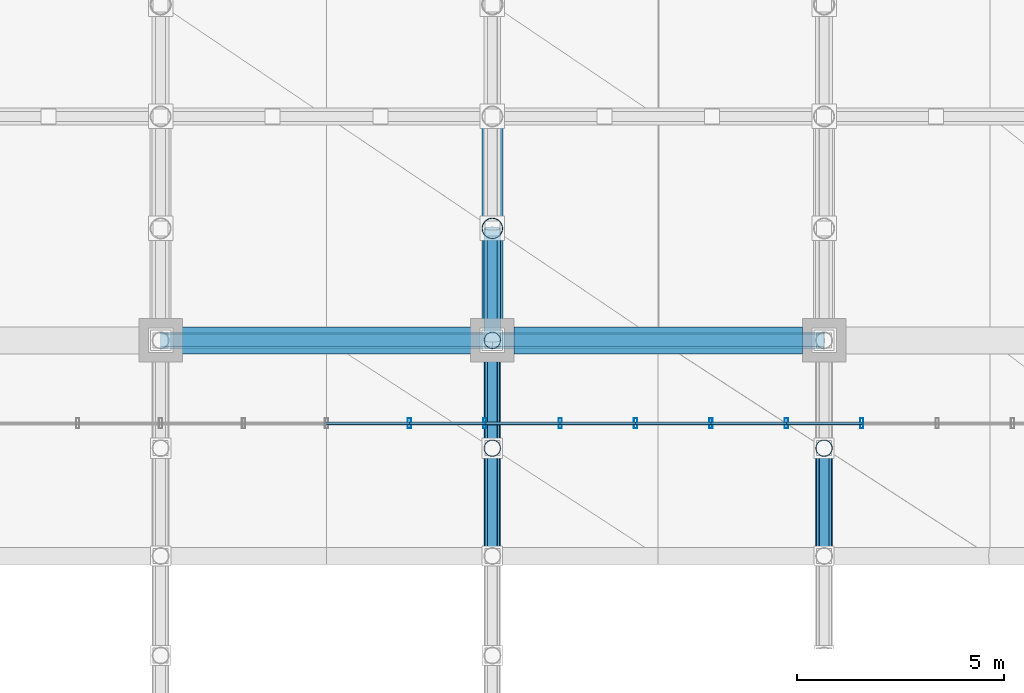
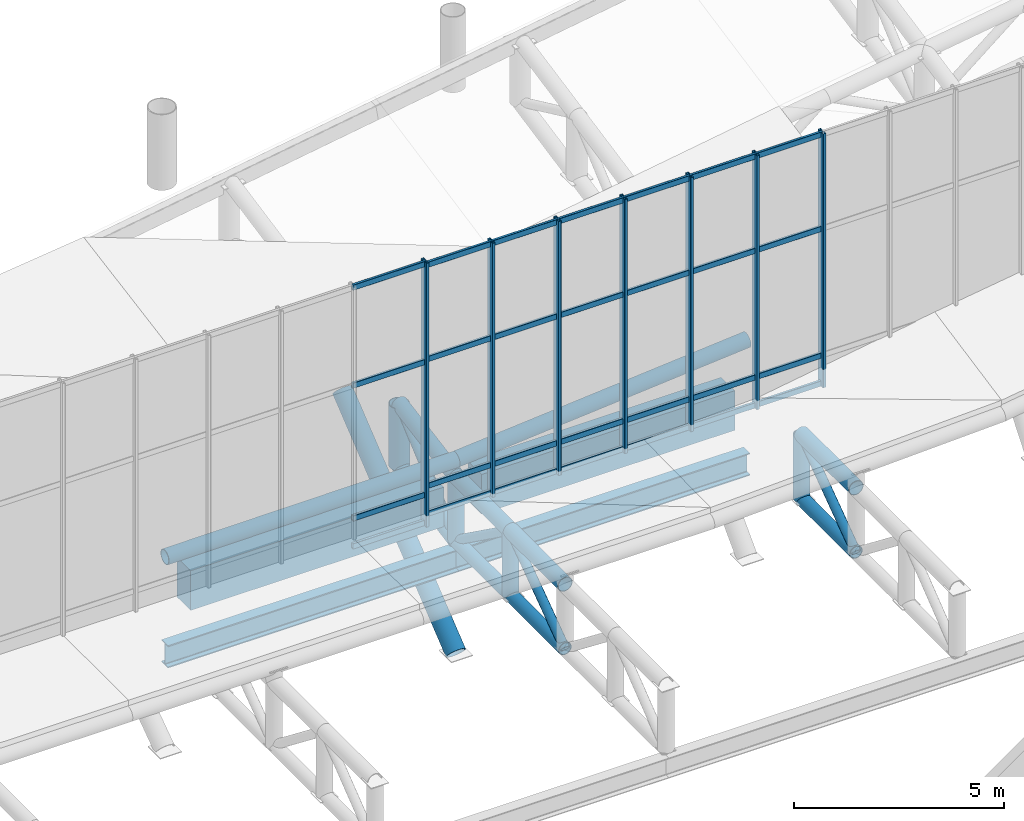
# One storey, part 55 of 137: 54 members, 4 beams, 2 elements without a shape of their own.
"""IFC4 building model written with IfcOpenShell, lengths in metres."""

import ifcopenshell
import ifcopenshell.guid

model = None  # the IFC model being written
_history = None  # IfcOwnerHistory: only IFC2X3 demands one
_inside = {}  # id of a spatial element -> (the spatial element, [elements in it])
_under = {}  # id of a project, library or spatial element -> (it, [spatial elements below it])
_declared = {}  # id of a project -> (the project, [libraries it declares])
_typed = {}  # id of a type object -> (the type object, [elements of that type])
_made_of = {}  # id of a material, layer set ... -> (it, [elements and type objects made of it])


def new_model(schema):
    """Start an empty IFC model of exactly this schema.

    Asked for "IFC4X3", IfcOpenShell would pick the latest addendum, in which some entities
    have other attributes; the version numbers below select the first issue.
    IFC2X3 requires an IfcOwnerHistory on every rooted entity: one is made here for all.
    """
    global model, _history
    if schema == "IFC4X3":
        model = ifcopenshell.file(schema_version=(4, 3, 0, 0))
    else:
        model = ifcopenshell.file(schema=schema)
    _inside.clear()
    _under.clear()
    _declared.clear()
    _typed.clear()
    _made_of.clear()
    _history = None
    if model.schema == "IFC2X3":
        org = make("IfcOrganization", Name="unknown")
        user = make(
            "IfcPersonAndOrganization",
            ThePerson=make("IfcPerson", FamilyName="unknown"),
            TheOrganization=org,
        )
        app = make(
            "IfcApplication",
            ApplicationDeveloper=org,
            Version="unknown",
            ApplicationFullName="unknown",
            ApplicationIdentifier="unknown",
        )
        _history = make(
            "IfcOwnerHistory",
            OwningUser=user,
            OwningApplication=app,
            ChangeAction="ADDED",
            CreationDate=0,
        )
    return model


def make(cls, **values):
    """One entity of the class cls with the attributes given. An attribute that is None is left unset."""
    return model.create_entity(
        cls, **{name: value for name, value in values.items() if value is not None}
    )


def rooted(cls, **values):
    """An entity with a GlobalId (a new one), such as an element, a storey or a relation."""
    return make(cls, GlobalId=ifcopenshell.guid.new(), OwnerHistory=_history, **values)


def si_unit(unit_type, name, prefix=None):
    """IfcSIUnit, for example si_unit("LENGTHUNIT", "METRE", prefix="MILLI")."""
    return make("IfcSIUnit", UnitType=unit_type, Prefix=prefix, Name=name)


def assignment(units):
    """IfcUnitAssignment: the units of a project."""
    return None if units is None else make("IfcUnitAssignment", Units=units)


def point(xyz):
    """IfcCartesianPoint."""
    return None if xyz is None else make("IfcCartesianPoint", Coordinates=xyz)


def direction(xyz):
    """IfcDirection."""
    return None if xyz is None else make("IfcDirection", DirectionRatios=xyz)


def frame(location, z_axis=None, x_axis=None):
    """IfcAxis2Placement3D, a coordinate frame: its origin and axes. An axis left out is left unset."""
    return make(
        "IfcAxis2Placement3D",
        Location=point(location),
        Axis=direction(z_axis),
        RefDirection=direction(x_axis),
    )


def frame_2d(location, x_axis=None):
    """IfcAxis2Placement2D, a coordinate frame in the plane: its origin and x axis."""
    return make(
        "IfcAxis2Placement2D", Location=point(location), RefDirection=direction(x_axis)
    )


def origin():
    """The frame at (0, 0, 0) with its axes left unset."""
    return frame((0.0, 0.0, 0.0))


def origin_2d():
    """The frame at (0, 0) in the plane with its x axis left unset."""
    return frame_2d((0.0, 0.0))


def place(relative_to, where):
    """IfcLocalPlacement: puts the frame where relative to a parent placement (None: the world)."""
    return make(
        "IfcLocalPlacement", PlacementRelTo=relative_to, RelativePlacement=where
    )


def context(
    kind, dimensions, precision=None, world=None, true_north=None, identifier=None
):
    """IfcGeometricRepresentationContext, for example the 3D "Model" context."""
    return make(
        "IfcGeometricRepresentationContext",
        ContextIdentifier=identifier,
        ContextType=kind,
        CoordinateSpaceDimension=dimensions,
        Precision=precision,
        WorldCoordinateSystem=world,
        TrueNorth=true_north,
    )


def subcontext(parent, identifier, kind, view, scale=None):
    """IfcGeometricRepresentationSubContext, for example "Body" below "Model"."""
    return make(
        "IfcGeometricRepresentationSubContext",
        ContextIdentifier=identifier,
        ContextType=kind,
        ParentContext=parent,
        TargetScale=scale,
        TargetView=view,
    )


def project(units=None, contexts=None):
    """IfcProject with its units and contexts."""
    return rooted(
        "IfcProject",
        Name="project",
        RepresentationContexts=contexts,
        UnitsInContext=assignment(units),
    )


def spatial(cls, under=None, at=None, **own):
    """A site, building, storey or space (cls), placed at a placement, below another one or the project."""
    s = rooted(cls, ObjectPlacement=at, **own)
    if under is not None:
        _under.setdefault(under.id(), (under, []))[1].append(s)
    return s


def profile(cls, at=None, kind="AREA", **sizes):
    """A parametric profile (cls). Its sizes go by their IFC names, for example OverallWidth=200.0."""
    return make(cls, ProfileType=kind, Position=at, **sizes)


def rectangle(**sizes):
    """IfcRectangleProfileDef."""
    return profile("IfcRectangleProfileDef", **sizes)


def hollow_rectangle(**sizes):
    """IfcRectangleHollowProfileDef."""
    return profile("IfcRectangleHollowProfileDef", **sizes)


def hollow_circle(**sizes):
    """IfcCircleHollowProfileDef."""
    return profile("IfcCircleHollowProfileDef", **sizes)


def i_section(**sizes):
    """IfcIShapeProfileDef."""
    return profile("IfcIShapeProfileDef", **sizes)


def extrude(swept, where, along, depth):
    """IfcExtrudedAreaSolid: the profile swept, set in the frame where, extruded along a direction by depth."""
    return make(
        "IfcExtrudedAreaSolid",
        SweptArea=swept,
        Position=where,
        ExtrudedDirection=direction(along),
        Depth=depth,
    )


def shape(context_of_items, identifier, shape_type, items):
    """IfcShapeRepresentation: the items that make up one representation, for example the "Body"."""
    return make(
        "IfcShapeRepresentation",
        ContextOfItems=context_of_items,
        RepresentationIdentifier=identifier,
        RepresentationType=shape_type,
        Items=items,
    )


def material(Name=None, Category=None):
    """IfcMaterial."""
    return make("IfcMaterial", Name=Name, Category=Category)


def layer(
    of_material, thickness, ventilated=None, Name=None, Category=None, Priority=None
):
    """IfcMaterialLayer: one layer of a wall or slab, of a material (None: an air gap)."""
    return make(
        "IfcMaterialLayer",
        Material=of_material,
        LayerThickness=thickness,
        IsVentilated=ventilated,
        Name=Name,
        Category=Category,
        Priority=Priority,
    )


def layer_set(layers, Name=None):
    """IfcMaterialLayerSet."""
    return make("IfcMaterialLayerSet", MaterialLayers=layers, LayerSetName=Name)


def material_profile(
    of_material, cross_section, Name=None, Category=None, Priority=None
):
    """IfcMaterialProfile: a cross section and its material."""
    return make(
        "IfcMaterialProfile",
        Name=Name,
        Material=of_material,
        Profile=cross_section,
        Priority=Priority,
        Category=Category,
    )


def profile_set(profiles, Name=None, composite=None):
    """IfcMaterialProfileSet."""
    return make(
        "IfcMaterialProfileSet",
        Name=Name,
        MaterialProfiles=profiles,
        CompositeProfile=composite,
    )


def made_of(thing, what):
    """Note that an element or type object is made of a material, layer set ...; save() writes the relation."""
    if what is not None:
        _made_of.setdefault(what.id(), (what, []))[1].append(thing)
    return thing


def type_object(cls, material=None, **own):
    """A type object (cls), such as IfcWallType, which elements share."""
    return made_of(rooted(cls, **own), material)


def element(
    cls,
    number,
    at=None,
    inside=None,
    cuts=None,
    type_object=None,
    material=None,
    context=None,
    identifier="Body",
    shape_type=None,
    held_by="IfcProductDefinitionShape",
    body=None,
    shapes=None,
    **own,
):
    """One element of the class cls, such as IfcWall. Its Tag is "e" and its number.

    at: its placement. inside: the storey or other place that contains it. cuts: it is an
    opening in that element (IfcRelVoidsElement). A single representation is given by context,
    identifier, shape_type and body (its items); several are given by shapes. held_by: the class
    of the entity that holds the representations. save() writes the other relations.
    """
    e = rooted(cls, Tag="e%d" % number, ObjectPlacement=at, **own)
    if body is not None:
        shapes = [shape(context, identifier, shape_type, body)]
    if shapes is not None:
        e.Representation = make(held_by, Representations=shapes)
    if inside is not None:
        _inside.setdefault(inside.id(), (inside, []))[1].append(e)
    if cuts is not None:
        rooted(
            "IfcRelVoidsElement", RelatingBuildingElement=cuts, RelatedOpeningElement=e
        )
    if type_object is not None:
        _typed.setdefault(type_object.id(), (type_object, []))[1].append(e)
    return made_of(e, material)


def aggregate(whole, parts):
    """IfcRelAggregates: a whole, such as a stair, and the parts it consists of."""
    return rooted("IfcRelAggregates", RelatingObject=whole, RelatedObjects=parts)


def save(model, path):
    """Write the relations noted so far, then the file.

    IfcRelAggregates (storeys below a building ...), IfcRelContainedInSpatialStructure (elements
    in a storey), IfcRelDefinesByType, IfcRelAssociatesMaterial and IfcRelDeclares: one each for
    every whole, place, type object, material and project.
    """
    for whole, parts in _under.values():
        aggregate(whole, parts)
    for where, things in _inside.values():
        rooted(
            "IfcRelContainedInSpatialStructure",
            RelatedElements=things,
            RelatingStructure=where,
        )
    for kind, things in _typed.values():
        rooted("IfcRelDefinesByType", RelatedObjects=things, RelatingType=kind)
    for what, things in _made_of.values():
        rooted("IfcRelAssociatesMaterial", RelatedObjects=things, RelatingMaterial=what)
    for by, libraries in _declared.values():
        rooted("IfcRelDeclares", RelatingContext=by, RelatedDefinitions=libraries)
    model.write(path)


model = new_model("IFC4")

# Units and contexts
model_context = context("Model", 3, precision=1e-05, world=origin(), true_north=direction((0.0, 1.0)))
body_context = subcontext(model_context, "Body", "Model", "MODEL_VIEW")
ifc_project = project(units=[si_unit("LENGTHUNIT", "METRE"), si_unit("AREAUNIT", "SQUARE_METRE"), si_unit("VOLUMEUNIT", "CUBIC_METRE"), si_unit("PLANEANGLEUNIT", "RADIAN"), si_unit("MASSUNIT", "GRAM", prefix="KILO")], contexts=[model_context])

# Site, building, storey
site_placement = place(None, origin())
site = spatial("IfcSite", under=ifc_project, at=site_placement, CompositionType="ELEMENT")
building_placement = place(site_placement, origin())
building = spatial("IfcBuilding", under=site, at=building_placement, Name="Khorjan Park Terminus", CompositionType="ELEMENT")
storey_placement = place(building_placement, frame((0.0, 0.0, 11.4)))
storey = spatial("IfcBuildingStorey", under=building, at=storey_placement, Name="L02", CompositionType="ELEMENT", Elevation=11.4)

# Members
ifc_material_1 = material(Name="Steel S355", Category="steel")
ifc_material_profile_1 = material_profile(ifc_material_1, hollow_circle(Radius=0.1222, WallThickness=0.0125, at=origin_2d()), Name="CHS 244.5x12.5")
ifc_profile_set_1 = profile_set([ifc_material_profile_1], Name="Steel S355")
member_type_1 = type_object("IfcMemberType", Name="MB-BR-245", PredefinedType="BRACE", material=ifc_profile_set_1)
for number, where, z_axis, x_axis, name in (
    (1, (112.0, 82.8, -1.92), (0.0, 0.811830357573, 0.583893372562), (-1.0, 0.0, 0.0), "Lower shell cantilever truss diagonal (9N)"),
    (2, (112.0, 85.4, -0.05), (0.0, 0.811830357573, -0.583893372562), (-1.0, 0.0, 0.0), "Lower shell cantilever truss diagonal (9N)"),
    (3, (120.0, 82.8, -1.92), (0.0, 0.811830357573, 0.583893372562), (-1.0, 0.0, 0.0), "Lower shell cantilever truss diagonal (10N)"),
):
    element("IfcMember", number, at=place(storey_placement, frame(where, z_axis=z_axis, x_axis=x_axis)), inside=storey, type_object=member_type_1, Name=name, PredefinedType="BRACE", context=body_context, shape_type="SweptSolid", body=[
        extrude(hollow_circle(Radius=0.1222, WallThickness=0.0125, at=origin_2d()), origin(), (0.0, 0.0, 1.0), 3.2026),
    ])
ifc_material_profile_2 = material_profile(ifc_material_1, hollow_circle(Radius=0.1222, WallThickness=0.0125, at=origin_2d()), Name="CHS 244.5x12.5")
ifc_profile_set_2 = profile_set([ifc_material_profile_2], Name="Steel S355")
member_type_2 = type_object("IfcMemberType", Name="MB-BRE-245", PredefinedType="BRACE", material=ifc_profile_set_2)
member_1_placement = place(storey_placement, frame((112.0, 88.0, -1.92), z_axis=(0.0, 0.754194044535, 0.656651614776), x_axis=(-1.0, 0.0, 0.0)))
element("IfcMember", 4, at=member_1_placement, inside=storey, type_object=member_type_2, Name="Lower shell cantilever truss diagonal (9N)", PredefinedType="BRACE", context=body_context, shape_type="SweptSolid", body=[
    extrude(hollow_circle(Radius=0.1222, WallThickness=0.0125, at=origin_2d()), origin(), (0.0, 0.0, 1.0), 3.58),
])
ifc_material_profile_3 = material_profile(ifc_material_1, hollow_circle(Radius=0.1778, WallThickness=0.016, at=origin_2d()), Name="CHS 355.6x16")
ifc_profile_set_3 = profile_set([ifc_material_profile_3], Name="Steel S355")
member_type_3 = type_object("IfcMemberType", Name="MB-CH-356", PredefinedType="CHORD", material=ifc_profile_set_3)
for number, where, z_axis, x_axis, name in (
    (5, (112.0, 82.8, -1.92), (0.0, 1.0, 0.0), (-1.0, 0.0, 0.0), "Lower shell cantilever truss bottom chord (9N)"),
    (6, (112.0, 85.4, -1.92), (0.0, 1.0, 0.0), (-1.0, 0.0, 0.0), "Lower shell cantilever truss bottom chord (9N)"),
    (7, (120.0, 82.8, -1.92), (0.0, 1.0, 0.0), (-1.0, 0.0, 0.0), "Lower shell cantilever truss bottom chord (10N)"),
):
    element("IfcMember", number, at=place(storey_placement, frame(where, z_axis=z_axis, x_axis=x_axis)), inside=storey, type_object=member_type_3, Name=name, PredefinedType="CHORD", context=body_context, shape_type="SweptSolid", body=[
        extrude(hollow_circle(Radius=0.1778, WallThickness=0.016, at=origin_2d()), origin(), (0.0, 0.0, 1.0), 2.6),
    ])
ifc_material_profile_4 = material_profile(ifc_material_1, hollow_circle(Radius=0.2032, WallThickness=0.016, at=origin_2d()), Name="CHS 406.4x16")
ifc_profile_set_4 = profile_set([ifc_material_profile_4], Name="Steel S355")
member_type_4 = type_object("IfcMemberType", Name="MB-CH-406", PredefinedType="CHORD", material=ifc_profile_set_4)
for number, where, z_axis, x_axis, name in (
    (8, (112.0, 82.8, -0.05), (0.0, 1.0, 0.0), (-1.0, 0.0, 0.0), "Lower shell cantilever truss top chord (9N)"),
    (9, (112.0, 85.4, -0.05), (0.0, 1.0, 0.0), (-1.0, 0.0, 0.0), "Lower shell cantilever truss top chord (9N)"),
    (10, (120.0, 82.8, -0.05), (0.0, 1.0, 0.0), (-1.0, 0.0, 0.0), "Lower shell cantilever truss top chord (10N)"),
):
    element("IfcMember", number, at=place(storey_placement, frame(where, z_axis=z_axis, x_axis=x_axis)), inside=storey, type_object=member_type_4, Name=name, PredefinedType="CHORD", context=body_context, shape_type="SweptSolid", body=[
        extrude(hollow_circle(Radius=0.2032, WallThickness=0.016, at=origin_2d()), origin(), (0.0, 0.0, 1.0), 2.6),
    ])
ifc_material_profile_5 = material_profile(ifc_material_1, hollow_circle(Radius=0.2032, WallThickness=0.016, at=origin_2d()), Name="CHS 406.4x16")
ifc_profile_set_5 = profile_set([ifc_material_profile_5], Name="Steel S355")
member_type_5 = type_object("IfcMemberType", Name="MB-CHE-406", PredefinedType="CHORD", material=ifc_profile_set_5)
member_2_placement = place(storey_placement, frame((104.0, 88.0, 0.392), z_axis=(0.999988238957, 0.0, 0.004849942959), x_axis=(0.0, 1.0, 0.0)))
element("IfcMember", 11, at=member_2_placement, inside=storey, type_object=member_type_5, Name="Lower wrapping shell rim chord (114)", PredefinedType="CHORD", context=body_context, shape_type="SweptSolid", body=[
    extrude(hollow_circle(Radius=0.2032, WallThickness=0.016, at=origin_2d()), origin(), (0.0, 0.0, 1.0), 8.0001),
])
member_3_placement = place(storey_placement, frame((112.0, 88.0, 0.4308), z_axis=(0.996406958115, 0.0, 0.08469459144), x_axis=(0.0, 1.0, 0.0)))
element("IfcMember", 12, at=member_3_placement, inside=storey, type_object=member_type_5, Name="Lower wrapping shell rim chord (115)", PredefinedType="CHORD", context=body_context, shape_type="SweptSolid", body=[
    extrude(hollow_circle(Radius=0.2032, WallThickness=0.016, at=origin_2d()), origin(), (0.0, 0.0, 1.0), 8.0288),
])
member_4_placement = place(storey_placement, frame((112.0, 88.0, -0.05), z_axis=(0.0, 0.98451219689, 0.175316097876), x_axis=(-1.0, 0.0, 0.0)))
element("IfcMember", 13, at=member_4_placement, inside=storey, type_object=member_type_5, Name="Lower shell cantilever truss top chord (9N)", PredefinedType="CHORD", context=body_context, shape_type="SweptSolid", body=[
    extrude(hollow_circle(Radius=0.2032, WallThickness=0.016, at=origin_2d()), origin(), (0.0, 0.0, 1.0), 2.7425),
])
member_5_placement = place(storey_placement, frame((112.0, 88.0, -1.92), z_axis=(0.0, 0.979819726619, 0.19988322423), x_axis=(-1.0, 0.0, 0.0)))
element("IfcMember", 14, at=member_5_placement, inside=storey, type_object=member_type_5, Name="Lower shell cantilever truss bottom chord (9N)", PredefinedType="CHORD", context=body_context, shape_type="SweptSolid", body=[
    extrude(hollow_circle(Radius=0.2032, WallThickness=0.016, at=origin_2d()), origin(), (0.0, 0.0, 1.0), 2.7556),
])
ifc_material_profile_6 = material_profile(ifc_material_1, hollow_circle(Radius=0.2032, WallThickness=0.016, at=origin_2d()), Name="CHS 406.4x16")
ifc_profile_set_6 = profile_set([ifc_material_profile_6], Name="Steel S355")
member_type_6 = type_object("IfcMemberType", Name="MB-ST-406", PredefinedType="STRUT", material=ifc_profile_set_6)
for number, where, z_axis, x_axis, name in (
    (15, (112.0, 85.4, -1.92), (0.0, 0.0, 1.0), (1.0, 0.0, 0.0), "Lower shell cantilever truss post (9N)"),
    (16, (112.0, 88.0, -1.92), (0.0, 0.0, 1.0), (1.0, 0.0, 0.0), "Lower shell cantilever truss post (9N)"),
    (17, (120.0, 85.4, -1.92), (0.0, 0.0, 1.0), (1.0, 0.0, 0.0), "Lower shell cantilever truss post (10N)"),
):
    element("IfcMember", number, at=place(storey_placement, frame(where, z_axis=z_axis, x_axis=x_axis)), inside=storey, type_object=member_type_6, Name=name, PredefinedType="STRUT", context=body_context, shape_type="SweptSolid", body=[
        extrude(hollow_circle(Radius=0.2032, WallThickness=0.016, at=origin_2d()), origin(), (0.0, 0.0, 1.0), 1.87),
    ])
ifc_material_profile_7 = material_profile(ifc_material_1, hollow_circle(Radius=0.254, WallThickness=0.02, at=origin_2d()), Name="CHS 508x20")
ifc_profile_set_7 = profile_set([ifc_material_profile_7], Name="Steel S355")
member_type_7 = type_object("IfcMemberType", Name="MB-STE-508", PredefinedType="STRUT", material=ifc_profile_set_7)
member_6_placement = place(storey_placement, frame((112.0, 90.7, -1.3692), z_axis=(0.0, 0.0, 1.0), x_axis=(1.0, 0.0, 0.0)))
element("IfcMember", 18, at=member_6_placement, inside=storey, type_object=member_type_7, Name="Lower shell cantilever truss post (9N)", PredefinedType="STRUT", context=body_context, shape_type="SweptSolid", body=[
    extrude(hollow_circle(Radius=0.254, WallThickness=0.02, at=origin_2d()), origin(), (0.0, 0.0, 1.0), 1.8),
])
member_7_placement = place(storey_placement, frame((112.0, 88.0, -5.2), z_axis=(0.0, 0.777183532211, 0.629273992201), x_axis=(-1.0, 0.0, 0.0)))
element("IfcMember", 19, at=member_7_placement, inside=storey, type_object=member_type_7, Name="Lower shell raked overhang V-strut STE-51 (9N)", PredefinedType="STRUT", context=body_context, shape_type="SweptSolid", body=[
    extrude(hollow_circle(Radius=0.254, WallThickness=0.02, at=origin_2d()), origin(), (0.0, 0.0, 1.0), 6.9482),
])

# Curtain wall, member
ifc_material_2 = material(Name="Anodized Bronze Aluminium", Category="aluminium")
ifc_layer = layer(ifc_material_2, 0.22)
ifc_layer_set = layer_set([ifc_layer], Name="Anodized Bronze Aluminium")
curtain_wall_type = type_object("IfcCurtainWallType", Name="CW-CONC-CLR", PredefinedType="NOTDEFINED", material=ifc_layer_set)
curtain_wall_1_placement = place(storey_placement, origin())
curtain_wall_1 = element("IfcCurtainWall", 20, at=curtain_wall_1_placement, inside=storey, type_object=curtain_wall_type, Name="Unitized curtain wall CW-CL (CW-V2-N-CLR-06)", PredefinedType="NOTDEFINED")
ifc_material_profile_8 = material_profile(ifc_material_2, hollow_rectangle(XDim=0.08, YDim=0.25, WallThickness=0.005, InnerFilletRadius=0.005, OuterFilletRadius=0.01, at=origin_2d()), Name="ALM 80x250x5")
ifc_profile_set_8 = profile_set([ifc_material_profile_8], Name="Anodized Bronze Aluminium")
member_type_8 = type_object("IfcMemberType", Name="ML-ALM-250", PredefinedType="MULLION", material=ifc_profile_set_8)
member_8_placement = place(storey_placement, frame((110.0, 86.0, 0.45), z_axis=(0.0, 0.0, 1.0), x_axis=(-1.0, 0.0, 0.0)))
member_8 = element("IfcMember", 21, at=member_8_placement, type_object=member_type_8, Name="Curtain-wall mullion ML-25 (CW-V2-N-CLR-06-0)", PredefinedType="MULLION", context=body_context, shape_type="SweptSolid", body=[
    extrude(hollow_rectangle(XDim=0.08, YDim=0.25, WallThickness=0.005, InnerFilletRadius=0.005, OuterFilletRadius=0.01, at=origin_2d()), origin(), (0.0, 0.0, 1.0), 7.6669),
])

# Curtain wall, members
curtain_wall_2_placement = place(storey_placement, origin())
curtain_wall_2 = element("IfcCurtainWall", 22, at=curtain_wall_2_placement, inside=storey, type_object=curtain_wall_type, Name="Unitized curtain wall CW-CL (CW-V2-N-CLR-07)", PredefinedType="NOTDEFINED")
member_9_placement = place(storey_placement, frame((120.9091, 86.0, 0.6813), z_axis=(0.0, 0.0, 1.0), x_axis=(-1.0, 0.0, 0.0)))
member_9 = element("IfcMember", 23, at=member_9_placement, type_object=member_type_8, Name="Curtain-wall mullion ML-25 (CW-V2-N-CLR-07-5)", PredefinedType="MULLION", context=body_context, shape_type="SweptSolid", body=[
    extrude(hollow_rectangle(XDim=0.08, YDim=0.25, WallThickness=0.005, InnerFilletRadius=0.005, OuterFilletRadius=0.01, at=origin_2d()), origin(), (0.0, 0.0, 1.0), 7.382),
])
member_10_placement = place(storey_placement, frame((119.0909, 86.0, 0.6813), z_axis=(0.0, 0.0, 1.0), x_axis=(-1.0, 0.0, 0.0)))
member_10 = element("IfcMember", 24, at=member_10_placement, type_object=member_type_8, Name="Curtain-wall mullion ML-25 (CW-V2-N-CLR-07-6)", PredefinedType="MULLION", context=body_context, shape_type="SweptSolid", body=[
    extrude(hollow_rectangle(XDim=0.08, YDim=0.25, WallThickness=0.005, InnerFilletRadius=0.005, OuterFilletRadius=0.01, at=origin_2d()), origin(), (0.0, 0.0, 1.0), 7.382),
])
member_11_placement = place(storey_placement, frame((117.2727, 86.0, 0.6813), z_axis=(0.0, 0.0, 1.0), x_axis=(-1.0, 0.0, 0.0)))
member_11 = element("IfcMember", 25, at=member_11_placement, type_object=member_type_8, Name="Curtain-wall mullion ML-25 (CW-V2-N-CLR-07-7)", PredefinedType="MULLION", context=body_context, shape_type="SweptSolid", body=[
    extrude(hollow_rectangle(XDim=0.08, YDim=0.25, WallThickness=0.005, InnerFilletRadius=0.005, OuterFilletRadius=0.01, at=origin_2d()), origin(), (0.0, 0.0, 1.0), 7.382),
])
member_12_placement = place(storey_placement, frame((115.4545, 86.0, 0.6813), z_axis=(0.0, 0.0, 1.0), x_axis=(-1.0, 0.0, 0.0)))
member_12 = element("IfcMember", 26, at=member_12_placement, type_object=member_type_8, Name="Curtain-wall mullion ML-25 (CW-V2-N-CLR-07-8)", PredefinedType="MULLION", context=body_context, shape_type="SweptSolid", body=[
    extrude(hollow_rectangle(XDim=0.08, YDim=0.25, WallThickness=0.005, InnerFilletRadius=0.005, OuterFilletRadius=0.01, at=origin_2d()), origin(), (0.0, 0.0, 1.0), 7.382),
])
member_13_placement = place(storey_placement, frame((113.6364, 86.0, 0.6813), z_axis=(0.0, 0.0, 1.0), x_axis=(-1.0, 0.0, 0.0)))
member_13 = element("IfcMember", 27, at=member_13_placement, type_object=member_type_8, Name="Curtain-wall mullion ML-25 (CW-V2-N-CLR-07-9)", PredefinedType="MULLION", context=body_context, shape_type="SweptSolid", body=[
    extrude(hollow_rectangle(XDim=0.08, YDim=0.25, WallThickness=0.005, InnerFilletRadius=0.005, OuterFilletRadius=0.01, at=origin_2d()), origin(), (0.0, 0.0, 1.0), 7.382),
])
member_14_placement = place(storey_placement, frame((111.8182, 86.0, 0.6813), z_axis=(0.0, 0.0, 1.0), x_axis=(-1.0, 0.0, 0.0)))
member_14 = element("IfcMember", 28, at=member_14_placement, type_object=member_type_8, Name="Curtain-wall mullion ML-25 (CW-V2-N-CLR-07-10)", PredefinedType="MULLION", context=body_context, shape_type="SweptSolid", body=[
    extrude(hollow_rectangle(XDim=0.08, YDim=0.25, WallThickness=0.005, InnerFilletRadius=0.005, OuterFilletRadius=0.01, at=origin_2d()), origin(), (0.0, 0.0, 1.0), 7.382),
])

# Beams
ifc_material_profile_9 = material_profile(ifc_material_1, i_section(OverallWidth=0.3, OverallDepth=0.65, WebThickness=0.016, FlangeThickness=0.031, FilletRadius=0.027, at=origin_2d()), Name="HEB 650")
ifc_profile_set_9 = profile_set([ifc_material_profile_9], Name="Steel S355")
beam_type_1 = type_object("IfcBeamType", Name="SP-HEB650E", PredefinedType="SPANDREL", material=ifc_profile_set_9)
for number, where, z_axis, x_axis, name in (
    (29, (104.0, 88.0, -2.425), (1.0, 0.0, 0.0), (0.0, 1.0, 0.0), "Lower shell truss support girder SP-E65 (X19)"),
    (30, (112.0, 88.0, -2.425), (1.0, 0.0, 0.0), (0.0, 1.0, 0.0), "Lower shell truss support girder SP-E65 (X20)"),
):
    element("IfcBeam", number, at=place(storey_placement, frame(where, z_axis=z_axis, x_axis=x_axis)), inside=storey, type_object=beam_type_1, Name=name, PredefinedType="SPANDREL", context=body_context, shape_type="SweptSolid", body=[
        extrude(i_section(OverallWidth=0.3, OverallDepth=0.65, WebThickness=0.016, FlangeThickness=0.031, FilletRadius=0.027, at=origin_2d()), origin(), (0.0, 0.0, 1.0), 8.0),
    ])
ifc_material_3 = material(Name="Concrete C50/60", Category="concrete")
ifc_material_profile_10 = material_profile(ifc_material_3, rectangle(XDim=0.65, YDim=1.15, at=origin_2d()), Name="RC 650x1150")
ifc_profile_set_10 = profile_set([ifc_material_profile_10], Name="Concrete C50/60")
beam_type_2 = type_object("IfcBeamType", Name="SP-RC650x1150", PredefinedType="SPANDREL", material=ifc_profile_set_10)
for number, where, z_axis, x_axis, name in (
    (31, (104.52, 88.0, -0.575), (1.0, 0.0, 0.0), (0.0, 1.0, 0.0), "Concourse lower colonnade ring beam SP-11 (L02-52)"),
    (32, (112.52, 88.0, -0.575), (1.0, 0.0, 0.0), (0.0, 1.0, 0.0), "Concourse lower colonnade ring beam SP-11 (L02-54)"),
):
    element("IfcBeam", number, at=place(storey_placement, frame(where, z_axis=z_axis, x_axis=x_axis)), inside=storey, type_object=beam_type_2, Name=name, PredefinedType="SPANDREL", context=body_context, shape_type="SweptSolid", body=[
        extrude(rectangle(XDim=0.65, YDim=1.15, at=origin_2d()), origin(), (0.0, 0.0, 1.0), 6.96),
    ])

# Member
ifc_material_profile_11 = material_profile(ifc_material_2, hollow_rectangle(XDim=0.07, YDim=0.16, WallThickness=0.004, InnerFilletRadius=0.004, OuterFilletRadius=0.008, at=origin_2d()), Name="ALT 70x160x4")
ifc_profile_set_11 = profile_set([ifc_material_profile_11], Name="Anodized Bronze Aluminium")
member_type_9 = type_object("IfcMemberType", Name="TR-ALT-160", PredefinedType="USERDEFINED", material=ifc_profile_set_11)
member_15_placement = place(storey_placement, frame((110.0, 86.0, 0.525), z_axis=(-1.0, 0.0, 0.0), x_axis=(0.0, -1.0, 0.0)))
member_15 = element("IfcMember", 33, at=member_15_placement, type_object=member_type_9, Name="Curtain-wall transom TR-16 (CW-V2-N-CLR-06-0-1)", ObjectType="TRANSOM", PredefinedType="USERDEFINED", context=body_context, shape_type="SweptSolid", body=[
    extrude(hollow_rectangle(XDim=0.07, YDim=0.16, WallThickness=0.004, InnerFilletRadius=0.004, OuterFilletRadius=0.008, at=origin_2d()), origin(), (0.0, 0.0, 1.0), 2.0),
])

member_16_placement = place(storey_placement, frame((110.0, 86.0, 1.335), z_axis=(-1.0, 0.0, 0.0), x_axis=(0.0, -1.0, 0.0)))
member_16 = element("IfcMember", 34, at=member_16_placement, type_object=member_type_9, Name="Curtain-wall transom TR-16 (CW-V2-N-CLR-06-0-2)", ObjectType="TRANSOM", PredefinedType="USERDEFINED", context=body_context, shape_type="SweptSolid", body=[
    extrude(hollow_rectangle(XDim=0.07, YDim=0.16, WallThickness=0.004, InnerFilletRadius=0.004, OuterFilletRadius=0.008, at=origin_2d()), origin(), (0.0, 0.0, 1.0), 2.0),
])

member_17_placement = place(storey_placement, frame((110.0, 86.0, 5.1951), z_axis=(-1.0, 0.0, 0.0), x_axis=(0.0, -1.0, 0.0)))
member_17 = element("IfcMember", 35, at=member_17_placement, type_object=member_type_9, Name="Curtain-wall transom TR-16 (CW-V2-N-CLR-06-0-3)", ObjectType="TRANSOM", PredefinedType="USERDEFINED", context=body_context, shape_type="SweptSolid", body=[
    extrude(hollow_rectangle(XDim=0.07, YDim=0.16, WallThickness=0.004, InnerFilletRadius=0.004, OuterFilletRadius=0.008, at=origin_2d()), origin(), (0.0, 0.0, 1.0), 2.0),
])

member_18_placement = place(storey_placement, frame((110.0, 86.0, 8.0419), z_axis=(-1.0, 0.0, 0.0), x_axis=(0.0, -1.0, 0.0)))
member_18 = element("IfcMember", 36, at=member_18_placement, type_object=member_type_9, Name="Curtain-wall transom TR-16 (CW-V2-N-CLR-06-0-4)", ObjectType="TRANSOM", PredefinedType="USERDEFINED", context=body_context, shape_type="SweptSolid", body=[
    extrude(hollow_rectangle(XDim=0.07, YDim=0.16, WallThickness=0.004, InnerFilletRadius=0.004, OuterFilletRadius=0.008, at=origin_2d()), origin(), (0.0, 0.0, 1.0), 2.0),
])

aggregate(curtain_wall_1, [member_8, member_15, member_16, member_17, member_18])

member_19_placement = place(storey_placement, frame((120.9091, 86.0, 0.7563), z_axis=(-1.0, 0.0, 0.0), x_axis=(0.0, -1.0, 0.0)))
member_19 = element("IfcMember", 37, at=member_19_placement, type_object=member_type_9, Name="Curtain-wall transom TR-16 (CW-V2-N-CLR-07-5-1)", ObjectType="TRANSOM", PredefinedType="USERDEFINED", context=body_context, shape_type="SweptSolid", body=[
    extrude(hollow_rectangle(XDim=0.07, YDim=0.16, WallThickness=0.004, InnerFilletRadius=0.004, OuterFilletRadius=0.008, at=origin_2d()), origin(), (0.0, 0.0, 1.0), 1.8182),
])

member_20_placement = place(storey_placement, frame((120.9091, 86.0, 1.5663), z_axis=(-1.0, 0.0, 0.0), x_axis=(0.0, -1.0, 0.0)))
member_20 = element("IfcMember", 38, at=member_20_placement, type_object=member_type_9, Name="Curtain-wall transom TR-16 (CW-V2-N-CLR-07-5-2)", ObjectType="TRANSOM", PredefinedType="USERDEFINED", context=body_context, shape_type="SweptSolid", body=[
    extrude(hollow_rectangle(XDim=0.07, YDim=0.16, WallThickness=0.004, InnerFilletRadius=0.004, OuterFilletRadius=0.008, at=origin_2d()), origin(), (0.0, 0.0, 1.0), 1.8182),
])

member_21_placement = place(storey_placement, frame((120.9091, 86.0, 5.2497), z_axis=(-1.0, 0.0, 0.0), x_axis=(0.0, -1.0, 0.0)))
member_21 = element("IfcMember", 39, at=member_21_placement, type_object=member_type_9, Name="Curtain-wall transom TR-16 (CW-V2-N-CLR-07-5-3)", ObjectType="TRANSOM", PredefinedType="USERDEFINED", context=body_context, shape_type="SweptSolid", body=[
    extrude(hollow_rectangle(XDim=0.07, YDim=0.16, WallThickness=0.004, InnerFilletRadius=0.004, OuterFilletRadius=0.008, at=origin_2d()), origin(), (0.0, 0.0, 1.0), 1.8182),
])

member_22_placement = place(storey_placement, frame((120.9091, 86.0, 7.9883), z_axis=(-1.0, 0.0, 0.0), x_axis=(0.0, -1.0, 0.0)))
member_22 = element("IfcMember", 40, at=member_22_placement, type_object=member_type_9, Name="Curtain-wall transom TR-16 (CW-V2-N-CLR-07-5-4)", ObjectType="TRANSOM", PredefinedType="USERDEFINED", context=body_context, shape_type="SweptSolid", body=[
    extrude(hollow_rectangle(XDim=0.07, YDim=0.16, WallThickness=0.004, InnerFilletRadius=0.004, OuterFilletRadius=0.008, at=origin_2d()), origin(), (0.0, 0.0, 1.0), 1.8182),
])

member_23_placement = place(storey_placement, frame((119.0909, 86.0, 0.7563), z_axis=(-1.0, 0.0, 0.0), x_axis=(0.0, -1.0, 0.0)))
member_23 = element("IfcMember", 41, at=member_23_placement, type_object=member_type_9, Name="Curtain-wall transom TR-16 (CW-V2-N-CLR-07-6-1)", ObjectType="TRANSOM", PredefinedType="USERDEFINED", context=body_context, shape_type="SweptSolid", body=[
    extrude(hollow_rectangle(XDim=0.07, YDim=0.16, WallThickness=0.004, InnerFilletRadius=0.004, OuterFilletRadius=0.008, at=origin_2d()), origin(), (0.0, 0.0, 1.0), 1.8182),
])

member_24_placement = place(storey_placement, frame((119.0909, 86.0, 1.5663), z_axis=(-1.0, 0.0, 0.0), x_axis=(0.0, -1.0, 0.0)))
member_24 = element("IfcMember", 42, at=member_24_placement, type_object=member_type_9, Name="Curtain-wall transom TR-16 (CW-V2-N-CLR-07-6-2)", ObjectType="TRANSOM", PredefinedType="USERDEFINED", context=body_context, shape_type="SweptSolid", body=[
    extrude(hollow_rectangle(XDim=0.07, YDim=0.16, WallThickness=0.004, InnerFilletRadius=0.004, OuterFilletRadius=0.008, at=origin_2d()), origin(), (0.0, 0.0, 1.0), 1.8182),
])

member_25_placement = place(storey_placement, frame((119.0909, 86.0, 5.2497), z_axis=(-1.0, 0.0, 0.0), x_axis=(0.0, -1.0, 0.0)))
member_25 = element("IfcMember", 43, at=member_25_placement, type_object=member_type_9, Name="Curtain-wall transom TR-16 (CW-V2-N-CLR-07-6-3)", ObjectType="TRANSOM", PredefinedType="USERDEFINED", context=body_context, shape_type="SweptSolid", body=[
    extrude(hollow_rectangle(XDim=0.07, YDim=0.16, WallThickness=0.004, InnerFilletRadius=0.004, OuterFilletRadius=0.008, at=origin_2d()), origin(), (0.0, 0.0, 1.0), 1.8182),
])

member_26_placement = place(storey_placement, frame((119.0909, 86.0, 7.9883), z_axis=(-1.0, 0.0, 0.0), x_axis=(0.0, -1.0, 0.0)))
member_26 = element("IfcMember", 44, at=member_26_placement, type_object=member_type_9, Name="Curtain-wall transom TR-16 (CW-V2-N-CLR-07-6-4)", ObjectType="TRANSOM", PredefinedType="USERDEFINED", context=body_context, shape_type="SweptSolid", body=[
    extrude(hollow_rectangle(XDim=0.07, YDim=0.16, WallThickness=0.004, InnerFilletRadius=0.004, OuterFilletRadius=0.008, at=origin_2d()), origin(), (0.0, 0.0, 1.0), 1.8182),
])

member_27_placement = place(storey_placement, frame((117.2727, 86.0, 0.7563), z_axis=(-1.0, 0.0, 0.0), x_axis=(0.0, -1.0, 0.0)))
member_27 = element("IfcMember", 45, at=member_27_placement, type_object=member_type_9, Name="Curtain-wall transom TR-16 (CW-V2-N-CLR-07-7-1)", ObjectType="TRANSOM", PredefinedType="USERDEFINED", context=body_context, shape_type="SweptSolid", body=[
    extrude(hollow_rectangle(XDim=0.07, YDim=0.16, WallThickness=0.004, InnerFilletRadius=0.004, OuterFilletRadius=0.008, at=origin_2d()), origin(), (0.0, 0.0, 1.0), 1.8182),
])

member_28_placement = place(storey_placement, frame((117.2727, 86.0, 1.5663), z_axis=(-1.0, 0.0, 0.0), x_axis=(0.0, -1.0, 0.0)))
member_28 = element("IfcMember", 46, at=member_28_placement, type_object=member_type_9, Name="Curtain-wall transom TR-16 (CW-V2-N-CLR-07-7-2)", ObjectType="TRANSOM", PredefinedType="USERDEFINED", context=body_context, shape_type="SweptSolid", body=[
    extrude(hollow_rectangle(XDim=0.07, YDim=0.16, WallThickness=0.004, InnerFilletRadius=0.004, OuterFilletRadius=0.008, at=origin_2d()), origin(), (0.0, 0.0, 1.0), 1.8182),
])

member_29_placement = place(storey_placement, frame((117.2727, 86.0, 5.2497), z_axis=(-1.0, 0.0, 0.0), x_axis=(0.0, -1.0, 0.0)))
member_29 = element("IfcMember", 47, at=member_29_placement, type_object=member_type_9, Name="Curtain-wall transom TR-16 (CW-V2-N-CLR-07-7-3)", ObjectType="TRANSOM", PredefinedType="USERDEFINED", context=body_context, shape_type="SweptSolid", body=[
    extrude(hollow_rectangle(XDim=0.07, YDim=0.16, WallThickness=0.004, InnerFilletRadius=0.004, OuterFilletRadius=0.008, at=origin_2d()), origin(), (0.0, 0.0, 1.0), 1.8182),
])

member_30_placement = place(storey_placement, frame((117.2727, 86.0, 7.9883), z_axis=(-1.0, 0.0, 0.0), x_axis=(0.0, -1.0, 0.0)))
member_30 = element("IfcMember", 48, at=member_30_placement, type_object=member_type_9, Name="Curtain-wall transom TR-16 (CW-V2-N-CLR-07-7-4)", ObjectType="TRANSOM", PredefinedType="USERDEFINED", context=body_context, shape_type="SweptSolid", body=[
    extrude(hollow_rectangle(XDim=0.07, YDim=0.16, WallThickness=0.004, InnerFilletRadius=0.004, OuterFilletRadius=0.008, at=origin_2d()), origin(), (0.0, 0.0, 1.0), 1.8182),
])

member_31_placement = place(storey_placement, frame((115.4545, 86.0, 0.7563), z_axis=(-1.0, 0.0, 0.0), x_axis=(0.0, -1.0, 0.0)))
member_31 = element("IfcMember", 49, at=member_31_placement, type_object=member_type_9, Name="Curtain-wall transom TR-16 (CW-V2-N-CLR-07-8-1)", ObjectType="TRANSOM", PredefinedType="USERDEFINED", context=body_context, shape_type="SweptSolid", body=[
    extrude(hollow_rectangle(XDim=0.07, YDim=0.16, WallThickness=0.004, InnerFilletRadius=0.004, OuterFilletRadius=0.008, at=origin_2d()), origin(), (0.0, 0.0, 1.0), 1.8181),
])

member_32_placement = place(storey_placement, frame((115.4545, 86.0, 1.5663), z_axis=(-1.0, 0.0, 0.0), x_axis=(0.0, -1.0, 0.0)))
member_32 = element("IfcMember", 50, at=member_32_placement, type_object=member_type_9, Name="Curtain-wall transom TR-16 (CW-V2-N-CLR-07-8-2)", ObjectType="TRANSOM", PredefinedType="USERDEFINED", context=body_context, shape_type="SweptSolid", body=[
    extrude(hollow_rectangle(XDim=0.07, YDim=0.16, WallThickness=0.004, InnerFilletRadius=0.004, OuterFilletRadius=0.008, at=origin_2d()), origin(), (0.0, 0.0, 1.0), 1.8181),
])

member_33_placement = place(storey_placement, frame((115.4545, 86.0, 5.2497), z_axis=(-1.0, 0.0, 0.0), x_axis=(0.0, -1.0, 0.0)))
member_33 = element("IfcMember", 51, at=member_33_placement, type_object=member_type_9, Name="Curtain-wall transom TR-16 (CW-V2-N-CLR-07-8-3)", ObjectType="TRANSOM", PredefinedType="USERDEFINED", context=body_context, shape_type="SweptSolid", body=[
    extrude(hollow_rectangle(XDim=0.07, YDim=0.16, WallThickness=0.004, InnerFilletRadius=0.004, OuterFilletRadius=0.008, at=origin_2d()), origin(), (0.0, 0.0, 1.0), 1.8181),
])

member_34_placement = place(storey_placement, frame((115.4545, 86.0, 7.9883), z_axis=(-1.0, 0.0, 0.0), x_axis=(0.0, -1.0, 0.0)))
member_34 = element("IfcMember", 52, at=member_34_placement, type_object=member_type_9, Name="Curtain-wall transom TR-16 (CW-V2-N-CLR-07-8-4)", ObjectType="TRANSOM", PredefinedType="USERDEFINED", context=body_context, shape_type="SweptSolid", body=[
    extrude(hollow_rectangle(XDim=0.07, YDim=0.16, WallThickness=0.004, InnerFilletRadius=0.004, OuterFilletRadius=0.008, at=origin_2d()), origin(), (0.0, 0.0, 1.0), 1.8181),
])

member_35_placement = place(storey_placement, frame((113.6364, 86.0, 0.7563), z_axis=(-1.0, 0.0, 0.0), x_axis=(0.0, -1.0, 0.0)))
member_35 = element("IfcMember", 53, at=member_35_placement, type_object=member_type_9, Name="Curtain-wall transom TR-16 (CW-V2-N-CLR-07-9-1)", ObjectType="TRANSOM", PredefinedType="USERDEFINED", context=body_context, shape_type="SweptSolid", body=[
    extrude(hollow_rectangle(XDim=0.07, YDim=0.16, WallThickness=0.004, InnerFilletRadius=0.004, OuterFilletRadius=0.008, at=origin_2d()), origin(), (0.0, 0.0, 1.0), 1.8182),
])

member_36_placement = place(storey_placement, frame((113.6364, 86.0, 1.5663), z_axis=(-1.0, 0.0, 0.0), x_axis=(0.0, -1.0, 0.0)))
member_36 = element("IfcMember", 54, at=member_36_placement, type_object=member_type_9, Name="Curtain-wall transom TR-16 (CW-V2-N-CLR-07-9-2)", ObjectType="TRANSOM", PredefinedType="USERDEFINED", context=body_context, shape_type="SweptSolid", body=[
    extrude(hollow_rectangle(XDim=0.07, YDim=0.16, WallThickness=0.004, InnerFilletRadius=0.004, OuterFilletRadius=0.008, at=origin_2d()), origin(), (0.0, 0.0, 1.0), 1.8182),
])

member_37_placement = place(storey_placement, frame((113.6364, 86.0, 5.2497), z_axis=(-1.0, 0.0, 0.0), x_axis=(0.0, -1.0, 0.0)))
member_37 = element("IfcMember", 55, at=member_37_placement, type_object=member_type_9, Name="Curtain-wall transom TR-16 (CW-V2-N-CLR-07-9-3)", ObjectType="TRANSOM", PredefinedType="USERDEFINED", context=body_context, shape_type="SweptSolid", body=[
    extrude(hollow_rectangle(XDim=0.07, YDim=0.16, WallThickness=0.004, InnerFilletRadius=0.004, OuterFilletRadius=0.008, at=origin_2d()), origin(), (0.0, 0.0, 1.0), 1.8182),
])

member_38_placement = place(storey_placement, frame((113.6364, 86.0, 7.9883), z_axis=(-1.0, 0.0, 0.0), x_axis=(0.0, -1.0, 0.0)))
member_38 = element("IfcMember", 56, at=member_38_placement, type_object=member_type_9, Name="Curtain-wall transom TR-16 (CW-V2-N-CLR-07-9-4)", ObjectType="TRANSOM", PredefinedType="USERDEFINED", context=body_context, shape_type="SweptSolid", body=[
    extrude(hollow_rectangle(XDim=0.07, YDim=0.16, WallThickness=0.004, InnerFilletRadius=0.004, OuterFilletRadius=0.008, at=origin_2d()), origin(), (0.0, 0.0, 1.0), 1.8182),
])

member_39_placement = place(storey_placement, frame((111.8182, 86.0, 0.7563), z_axis=(-1.0, 0.0, 0.0), x_axis=(0.0, -1.0, 0.0)))
member_39 = element("IfcMember", 57, at=member_39_placement, type_object=member_type_9, Name="Curtain-wall transom TR-16 (CW-V2-N-CLR-07-10-1)", ObjectType="TRANSOM", PredefinedType="USERDEFINED", context=body_context, shape_type="SweptSolid", body=[
    extrude(hollow_rectangle(XDim=0.07, YDim=0.16, WallThickness=0.004, InnerFilletRadius=0.004, OuterFilletRadius=0.008, at=origin_2d()), origin(), (0.0, 0.0, 1.0), 1.8182),
])

member_40_placement = place(storey_placement, frame((111.8182, 86.0, 1.5663), z_axis=(-1.0, 0.0, 0.0), x_axis=(0.0, -1.0, 0.0)))
member_40 = element("IfcMember", 58, at=member_40_placement, type_object=member_type_9, Name="Curtain-wall transom TR-16 (CW-V2-N-CLR-07-10-2)", ObjectType="TRANSOM", PredefinedType="USERDEFINED", context=body_context, shape_type="SweptSolid", body=[
    extrude(hollow_rectangle(XDim=0.07, YDim=0.16, WallThickness=0.004, InnerFilletRadius=0.004, OuterFilletRadius=0.008, at=origin_2d()), origin(), (0.0, 0.0, 1.0), 1.8182),
])

member_41_placement = place(storey_placement, frame((111.8182, 86.0, 5.2497), z_axis=(-1.0, 0.0, 0.0), x_axis=(0.0, -1.0, 0.0)))
member_41 = element("IfcMember", 59, at=member_41_placement, type_object=member_type_9, Name="Curtain-wall transom TR-16 (CW-V2-N-CLR-07-10-3)", ObjectType="TRANSOM", PredefinedType="USERDEFINED", context=body_context, shape_type="SweptSolid", body=[
    extrude(hollow_rectangle(XDim=0.07, YDim=0.16, WallThickness=0.004, InnerFilletRadius=0.004, OuterFilletRadius=0.008, at=origin_2d()), origin(), (0.0, 0.0, 1.0), 1.8182),
])

member_42_placement = place(storey_placement, frame((111.8182, 86.0, 7.9883), z_axis=(-1.0, 0.0, 0.0), x_axis=(0.0, -1.0, 0.0)))
member_42 = element("IfcMember", 60, at=member_42_placement, type_object=member_type_9, Name="Curtain-wall transom TR-16 (CW-V2-N-CLR-07-10-4)", ObjectType="TRANSOM", PredefinedType="USERDEFINED", context=body_context, shape_type="SweptSolid", body=[
    extrude(hollow_rectangle(XDim=0.07, YDim=0.16, WallThickness=0.004, InnerFilletRadius=0.004, OuterFilletRadius=0.008, at=origin_2d()), origin(), (0.0, 0.0, 1.0), 1.8182),
])

aggregate(curtain_wall_2, [member_9, member_10, member_11, member_12, member_13, member_14, member_19, member_20, member_21, member_22, member_23, member_24, member_25, member_26, member_27, member_28, member_29, member_30, member_31, member_32, member_33, member_34, member_35, member_36, member_37, member_38, member_39, member_40, member_41, member_42])

save(model, "model.ifc")
